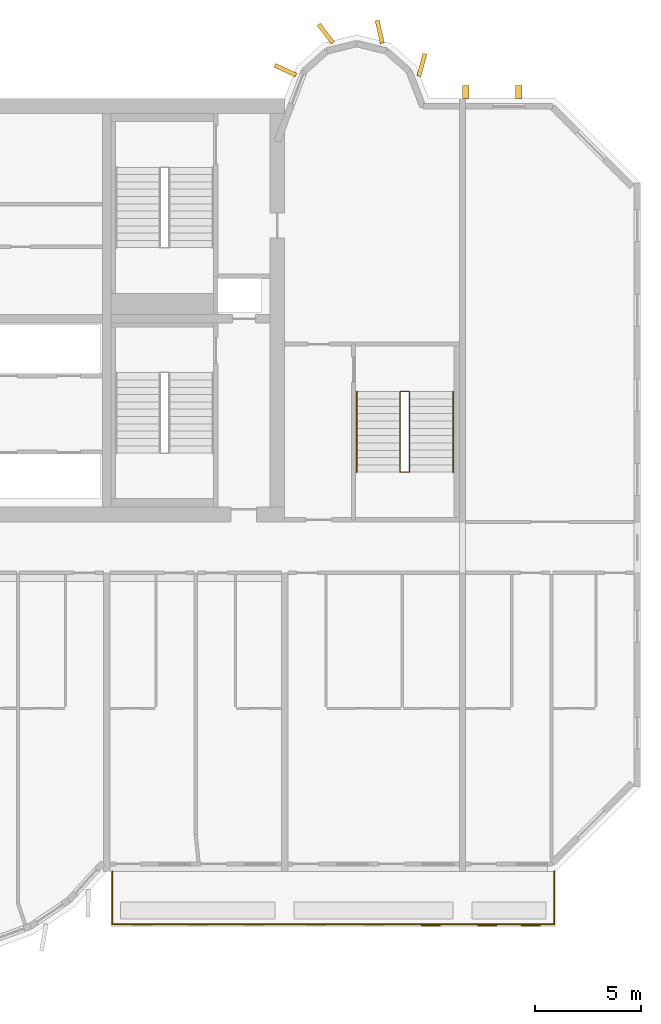
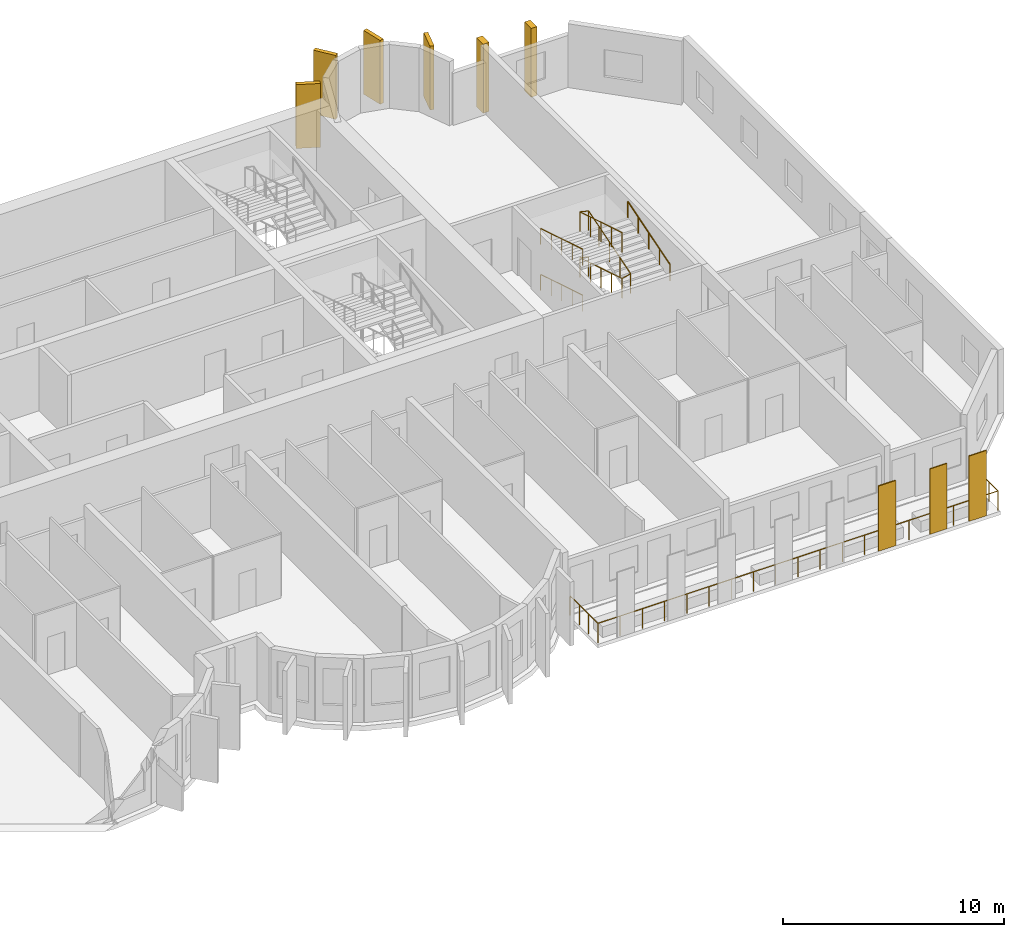
# One storey, part 12 of 13: 9 coverings, 5 railings.
"""IFC4 building model written with IfcOpenShell, lengths in metres."""

from ifc_helpers import new_model, si_unit, direction, frame, origin, origin_2d, place, context, subcontext, project, spatial, rectangle, circle, extrude, source, transform, mapped, material, layer, layer_set, material_profile, profile_set, type_object, element, save


model = new_model("IFC4")

# Units and contexts
model_context = context("Model", 3, precision=1e-05, world=origin(), true_north=direction((0.0, 1.0)))
body_context = subcontext(model_context, "Body", "Model", "MODEL_VIEW")
ifc_project = project(units=[si_unit("LENGTHUNIT", "METRE"), si_unit("AREAUNIT", "SQUARE_METRE"), si_unit("VOLUMEUNIT", "CUBIC_METRE"), si_unit("PLANEANGLEUNIT", "RADIAN"), si_unit("MASSUNIT", "GRAM", prefix="KILO")], contexts=[model_context])

# Site, building, storey
site_placement = place(None, origin())
site = spatial("IfcSite", under=ifc_project, at=site_placement, CompositionType="ELEMENT")
building_placement = place(site_placement, origin())
building = spatial("IfcBuilding", under=site, at=building_placement, Name="Vanashikhar Sky Hotel", CompositionType="ELEMENT")
storey_placement = place(building_placement, frame((0.0, 0.0, 151.60009765625)))
storey = spatial("IfcBuildingStorey", under=building, at=storey_placement, Name="L36", CompositionType="ELEMENT", Elevation=151.60009765625)

# Coverings
ifc_material_1 = material(Name="Terracotta", Category="masonry")
ifc_layer = layer(ifc_material_1, 0.06005859375)
ifc_layer_set = layer_set([ifc_layer], Name="Terracotta baguette screen")
covering_type_1 = type_object("IfcCoveringType", Name="Terracotta baguette screen", PredefinedType="CLADDING", material=ifc_layer_set)
shared_shape_1 = source(origin(), body_context, "Body", "SweptSolid", [
    extrude(rectangle(XDim=0.89990234375, YDim=0.06005859375, at=origin_2d()), origin(), (0.0, 0.0, 1.0), 3.60009765625),
])
for number, where, z_axis, x_axis, name in (
    (1, (82.5, 2.929931640625, -0.050048828125), (0.0, 0.0, 1.0), (1.0, 0.0, 0.0), "Terracotta screen"),
    (2, (85.175048828125, 2.929931640625, -0.050048828125), (0.0, 0.0, 1.0), (1.0, 0.0, 0.0), "Terracotta screen"),
    (3, (87.22509765625, 2.929931640625, -0.050048828125), (0.0, 0.0, 1.0), (1.0, 0.0, 0.0), "Terracotta screen"),
):
    element("IfcCovering", number, at=place(storey_placement, frame(where, z_axis=z_axis, x_axis=x_axis)), inside=storey, type_object=covering_type_1, Name=name, PredefinedType="CLADDING", context=body_context, shape_type="MappedRepresentation", body=[
        mapped(shared_shape_1, transform((0.0, 0.0, 0.0), scale=1.0)),
    ])
ifc_material_2 = material(Name="Concrete M60 dark", Category="concrete")
ifc_material_profile_1 = material_profile(ifc_material_2, rectangle(XDim=1.10009765625, YDim=0.199951171875, at=origin_2d()))
ifc_profile_set_1 = profile_set([ifc_material_profile_1], Name="Rear lobe fin 1100 x 200")
covering_type_2 = type_object("IfcCoveringType", Name="Rear lobe fin 1100 x 200", PredefinedType="CLADDING", material=ifc_profile_set_1)
shared_shape_2 = source(origin(), body_context, "Body", "SweptSolid", [
    extrude(rectangle(XDim=1.10009765625, YDim=0.199951171875, at=origin_2d()), origin(), (0.0, 0.0, 1.0), 3.52001953125),
])
for number, where, z_axis, x_axis, name in (
    (4, (75.63037109375, 43.33447265625, 0.0), (0.0, 0.0, 1.0), (-0.908004291068, 0.418960866193, 0.0), "Fin R2-1"),
    (5, (77.5380859375, 45.06640625, 0.0), (0.0, 0.0, 1.0), (-0.602065892195, 0.798446404874, 0.0), "Fin R2-2"),
    (6, (80.08984375, 45.1455078125, 0.0), (0.0, 0.0, 1.0), (-0.224644935864, 0.974440687159, 0.0), "Fin R2-3"),
    (7, (82.0791015625, 43.580078125, 0.0), (0.0, 0.0, 1.0), (0.262711264409, 0.964874495234, 0.0), "Fin R2-4"),
):
    element("IfcCovering", number, at=place(storey_placement, frame(where, z_axis=z_axis, x_axis=x_axis)), inside=storey, type_object=covering_type_2, Name=name, PredefinedType="CLADDING", context=body_context, shape_type="MappedRepresentation", body=[
        mapped(shared_shape_2, transform((0.0, 0.0, 0.0), scale=1.0)),
    ])

# Railing
ifc_material_3 = material(Name="Stainless steel 316", Category="steel")
railing_type_1 = type_object("IfcRailingType", Name="Balcony guard 1100", PredefinedType="GUARDRAIL", material=ifc_material_3)
shared_shape_3 = source(origin(), body_context, "Body", "SweptSolid", [
    extrude(circle(Radius=0.02392578125, at=origin_2d()), frame((0.0, 0.0, 1.076171875), z_axis=(0.0, -1.0, 0.0), x_axis=(1.0, 0.0, 0.0)), (0.0, 0.0, 1.0), 2.5),
    extrude(circle(Radius=0.02392578125, at=origin_2d()), frame((0.0, -2.5, 1.076171875), z_axis=(1.0, 0.0, 0.0), x_axis=(0.0, 1.0, 0.0)), (0.0, 0.0, 1.0), 20.880126953125),
    extrude(circle(Radius=0.02392578125, at=origin_2d()), frame((20.880126953125, -2.5, 1.076171875), z_axis=(0.0, 1.0, 0.0), x_axis=(-1.0, 0.0, 0.0)), (0.0, 0.0, 1.0), 2.5),
    extrude(circle(Radius=0.02099609375, at=origin_2d()), origin(), (0.0, 0.0, 1.0), 1.052001953125),
    extrude(circle(Radius=0.02099609375, at=origin_2d()), frame((0.0, -0.833251953125, 0.0)), (0.0, 0.0, 1.0), 1.052001953125),
    extrude(circle(Radius=0.02099609375, at=origin_2d()), frame((0.0, -1.666748046875, 0.0)), (0.0, 0.0, 1.0), 1.052001953125),
    extrude(circle(Radius=0.02099609375, at=origin_2d()), frame((0.0, -2.5, 0.0)), (0.0, 0.0, 1.0), 1.052001953125),
    extrude(circle(Radius=0.02099609375, at=origin_2d()), frame((1.159912109375, -2.5, 0.0)), (0.0, 0.0, 1.0), 1.052001953125),
    extrude(circle(Radius=0.02099609375, at=origin_2d()), frame((2.320068359375, -2.5, 0.0)), (0.0, 0.0, 1.0), 1.052001953125),
    extrude(circle(Radius=0.02099609375, at=origin_2d()), frame((3.47998046875, -2.5, 0.0)), (0.0, 0.0, 1.0), 1.052001953125),
    extrude(circle(Radius=0.02099609375, at=origin_2d()), frame((4.64013671875, -2.5, 0.0)), (0.0, 0.0, 1.0), 1.052001953125),
    extrude(circle(Radius=0.02099609375, at=origin_2d()), frame((5.800048828125, -2.5, 0.0)), (0.0, 0.0, 1.0), 1.052001953125),
    extrude(circle(Radius=0.02099609375, at=origin_2d()), frame((6.9599609375, -2.5, 0.0)), (0.0, 0.0, 1.0), 1.052001953125),
    extrude(circle(Radius=0.02099609375, at=origin_2d()), frame((8.1201171875, -2.5, 0.0)), (0.0, 0.0, 1.0), 1.052001953125),
    extrude(circle(Radius=0.02099609375, at=origin_2d()), frame((9.280029296875, -2.5, 0.0)), (0.0, 0.0, 1.0), 1.052001953125),
    extrude(circle(Radius=0.02099609375, at=origin_2d()), frame((10.43994140625, -2.5, 0.0)), (0.0, 0.0, 1.0), 1.052001953125),
    extrude(circle(Radius=0.02099609375, at=origin_2d()), frame((11.60009765625, -2.5, 0.0)), (0.0, 0.0, 1.0), 1.052001953125),
    extrude(circle(Radius=0.02099609375, at=origin_2d()), frame((12.760009765625, -2.5, 0.0)), (0.0, 0.0, 1.0), 1.052001953125),
    extrude(circle(Radius=0.02099609375, at=origin_2d()), frame((13.920166015625, -2.5, 0.0)), (0.0, 0.0, 1.0), 1.052001953125),
    extrude(circle(Radius=0.02099609375, at=origin_2d()), frame((15.080078125, -2.5, 0.0)), (0.0, 0.0, 1.0), 1.052001953125),
    extrude(circle(Radius=0.02099609375, at=origin_2d()), frame((16.239990234375, -2.5, 0.0)), (0.0, 0.0, 1.0), 1.052001953125),
    extrude(circle(Radius=0.02099609375, at=origin_2d()), frame((17.400146484375, -2.5, 0.0)), (0.0, 0.0, 1.0), 1.052001953125),
    extrude(circle(Radius=0.02099609375, at=origin_2d()), frame((18.56005859375, -2.5, 0.0)), (0.0, 0.0, 1.0), 1.052001953125),
    extrude(circle(Radius=0.02099609375, at=origin_2d()), frame((19.72021484375, -2.5, 0.0)), (0.0, 0.0, 1.0), 1.052001953125),
    extrude(circle(Radius=0.02099609375, at=origin_2d()), frame((20.880126953125, -2.5, 0.0)), (0.0, 0.0, 1.0), 1.052001953125),
    extrude(circle(Radius=0.02099609375, at=origin_2d()), frame((20.880126953125, -1.666748046875, 0.0)), (0.0, 0.0, 1.0), 1.052001953125),
    extrude(circle(Radius=0.02099609375, at=origin_2d()), frame((20.880126953125, -0.833251953125, 0.0)), (0.0, 0.0, 1.0), 1.052001953125),
    extrude(circle(Radius=0.02099609375, at=origin_2d()), frame((20.880126953125, 0.0, 0.0)), (0.0, 0.0, 1.0), 1.052001953125),
])
railing_1_placement = place(storey_placement, frame((67.4599609375, 5.5, -0.050048828125)))
element("IfcRailing", 8, at=railing_1_placement, inside=storey, type_object=railing_type_1, Name="Balcony guard", PredefinedType="GUARDRAIL", context=body_context, shape_type="MappedRepresentation", body=[
    mapped(shared_shape_3, transform((0.0, 0.0, 0.0), scale=1.0)),
])

# Coverings
ifc_material_profile_2 = material_profile(ifc_material_2, rectangle(XDim=0.60009765625, YDim=0.300048828125, at=origin_2d()))
ifc_profile_set_2 = profile_set([ifc_material_profile_2], Name="Rear rib 600 x 300")
covering_type_3 = type_object("IfcCoveringType", Name="Rear rib 600 x 300", PredefinedType="CLADDING", material=ifc_profile_set_2)
shared_shape_4 = source(origin(), body_context, "Body", "SweptSolid", [
    extrude(rectangle(XDim=0.60009765625, YDim=0.300048828125, at=origin_2d()), origin(), (0.0, 0.0, 1.0), 3.800048828125),
])
for number, where, z_axis, x_axis, name in (
    (9, (84.14990234375, 42.300048828125, -0.280029296875), (0.0, 0.0, 1.0), (0.0, 1.0, 0.0), "Rear rib"),
    (10, (86.64990234375, 42.300048828125, -0.280029296875), (0.0, 0.0, 1.0), (0.0, 1.0, 0.0), "Rear rib"),
):
    element("IfcCovering", number, at=place(storey_placement, frame(where, z_axis=z_axis, x_axis=x_axis)), inside=storey, type_object=covering_type_3, Name=name, PredefinedType="CLADDING", context=body_context, shape_type="MappedRepresentation", body=[
        mapped(shared_shape_4, transform((0.0, 0.0, 0.0), scale=1.0)),
    ])

# Railings
ifc_material_4 = material(Name="Steel S355", Category="steel")
railing_type_2 = type_object("IfcRailingType", Name="Stair handrail 900", PredefinedType="HANDRAIL", material=ifc_material_4)
shared_shape_5 = source(origin(), body_context, "Body", "SweptSolid", [
    extrude(circle(Radius=0.02392578125, at=origin_2d()), frame((0.0, 0.0, 0.8759765625), z_axis=(0.0, 0.956345846891, 0.292237268557), x_axis=(-1.0, 0.0, 0.0)), (0.0, 0.0, 1.0), 3.97314453125),
    extrude(circle(Radius=0.02099609375, at=origin_2d()), origin(), (0.0, 0.0, 1.0), 0.851806640625),
    extrude(circle(Radius=0.02099609375, at=origin_2d()), frame((0.0, 0.949951171875, 0.290283203125)), (0.0, 0.0, 1.0), 0.851806640625),
    extrude(circle(Radius=0.02099609375, at=origin_2d()), frame((0.0, 1.89990234375, 0.58056640625)), (0.0, 0.0, 1.0), 0.851806640625),
    extrude(circle(Radius=0.02099609375, at=origin_2d()), frame((0.0, 2.849853515625, 0.870849609375)), (0.0, 0.0, 1.0), 0.851806640625),
    extrude(circle(Radius=0.02099609375, at=origin_2d()), frame((0.0, 3.7998046875, 1.1611328125)), (0.0, 0.0, 1.0), 0.851806640625),
])
railing_2_placement = place(storey_placement, frame((83.550048828125, 24.35009765625, 1.3720703125)))
element("IfcRailing", 11, at=railing_2_placement, inside=storey, type_object=railing_type_2, Name="Exit stair 4 handrail", PredefinedType="HANDRAIL", context=body_context, shape_type="MappedRepresentation", body=[
    mapped(shared_shape_5, transform((0.0, 0.0, 0.0), scale=1.0)),
])
shared_shape_6 = source(origin(), body_context, "Body", "SweptSolid", [
    extrude(circle(Radius=0.02392578125, at=origin_2d()), frame((0.0, 0.0, 0.8759765625), z_axis=(0.0, -0.956345846891, 0.292237268557), x_axis=(1.0, 0.0, 0.0)), (0.0, 0.0, 1.0), 3.97314453125),
    extrude(circle(Radius=0.02099609375, at=origin_2d()), origin(), (0.0, 0.0, 1.0), 0.851806640625),
    extrude(circle(Radius=0.02099609375, at=origin_2d()), frame((0.0, -0.949951171875, 0.290283203125)), (0.0, 0.0, 1.0), 0.851806640625),
    extrude(circle(Radius=0.02099609375, at=origin_2d()), frame((0.0, -1.89990234375, 0.58056640625)), (0.0, 0.0, 1.0), 0.851806640625),
    extrude(circle(Radius=0.02099609375, at=origin_2d()), frame((0.0, -2.849853515625, 0.870849609375)), (0.0, 0.0, 1.0), 0.851806640625),
    extrude(circle(Radius=0.02099609375, at=origin_2d()), frame((0.0, -3.7998046875, 1.1611328125)), (0.0, 0.0, 1.0), 0.851806640625),
])
for number, where, name in (
    (12, (79.0, 28.14990234375, 0.10546875), "Exit stair 4 handrail"),
    (13, (79.0, 28.14990234375, 2.638671875), "Exit stair 4 handrail"),
):
    element("IfcRailing", number, at=place(storey_placement, frame(where)), inside=storey, type_object=railing_type_2, Name=name, PredefinedType="HANDRAIL", context=body_context, shape_type="MappedRepresentation", body=[
        mapped(shared_shape_6, transform((0.0, 0.0, 0.0), scale=1.0)),
    ])
railing_type_3 = type_object("IfcRailingType", Name="Stair guard 1100", PredefinedType="GUARDRAIL", material=ifc_material_4)
shared_shape_7 = source(origin(), body_context, "Body", "SweptSolid", [
    extrude(circle(Radius=0.02392578125, at=origin_2d()), frame((0.0, 0.0, 1.076171875), z_axis=(-0.973610808694, 0.0, 0.228214796178), x_axis=(0.0, -1.0, 0.0)), (0.0, 0.0, 1.0), 0.462158203125),
    extrude(circle(Radius=0.02392578125, at=origin_2d()), frame((-0.449951171875, 0.0, 1.181640625), z_axis=(0.0, -0.956345846891, 0.292237268557), x_axis=(1.0, 0.0, 0.0)), (0.0, 0.0, 1.0), 3.97314453125),
    extrude(circle(Radius=0.02392578125, at=origin_2d()), frame((-0.449951171875, -3.7998046875, 2.3427734375), z_axis=(0.973610808694, 0.0, 0.228214796178), x_axis=(0.0, 1.0, 0.0)), (0.0, 0.0, 1.0), 0.462158203125),
    extrude(circle(Radius=0.02392578125, at=origin_2d()), frame((0.0, -3.7998046875, 2.4482421875), z_axis=(0.0, 0.956345846891, 0.292237268557), x_axis=(-1.0, 0.0, 0.0)), (0.0, 0.0, 1.0), 3.97314453125),
    extrude(circle(Radius=0.02392578125, at=origin_2d()), frame((0.0, 0.0, 3.609375), z_axis=(-0.973610808694, 0.0, 0.228214796178), x_axis=(0.0, -1.0, 0.0)), (0.0, 0.0, 1.0), 0.462158203125),
    extrude(circle(Radius=0.02392578125, at=origin_2d()), frame((-0.449951171875, 0.0, 3.71484375), z_axis=(0.0, -0.956345846891, 0.292237268557), x_axis=(1.0, 0.0, 0.0)), (0.0, 0.0, 1.0), 3.97314453125),
    extrude(circle(Radius=0.02099609375, at=origin_2d()), origin(), (0.0, 0.0, 1.0), 1.052001953125),
    extrude(circle(Radius=0.02099609375, at=origin_2d()), frame((-0.449951171875, 0.0, 0.10546875)), (0.0, 0.0, 1.0), 1.052001953125),
    extrude(circle(Radius=0.02099609375, at=origin_2d()), frame((-0.449951171875, -0.949951171875, 0.395751953125)), (0.0, 0.0, 1.0), 1.052001953125),
    extrude(circle(Radius=0.02099609375, at=origin_2d()), frame((-0.449951171875, -1.89990234375, 0.68603515625)), (0.0, 0.0, 1.0), 1.052001953125),
    extrude(circle(Radius=0.02099609375, at=origin_2d()), frame((-0.449951171875, -2.849853515625, 0.976318359375)), (0.0, 0.0, 1.0), 1.052001953125),
    extrude(circle(Radius=0.02099609375, at=origin_2d()), frame((-0.449951171875, -3.7998046875, 1.2666015625)), (0.0, 0.0, 1.0), 1.052001953125),
    extrude(circle(Radius=0.02099609375, at=origin_2d()), frame((0.0, -3.7998046875, 1.3720703125)), (0.0, 0.0, 1.0), 1.052001953125),
    extrude(circle(Radius=0.02099609375, at=origin_2d()), frame((0.0, -2.849853515625, 1.662353515625)), (0.0, 0.0, 1.0), 1.052001953125),
    extrude(circle(Radius=0.02099609375, at=origin_2d()), frame((0.0, -1.89990234375, 1.95263671875)), (0.0, 0.0, 1.0), 1.052001953125),
    extrude(circle(Radius=0.02099609375, at=origin_2d()), frame((0.0, -0.949951171875, 2.242919921875)), (0.0, 0.0, 1.0), 1.052001953125),
    extrude(circle(Radius=0.02099609375, at=origin_2d()), frame((0.0, 0.0, 2.533203125)), (0.0, 0.0, 1.0), 1.052001953125),
    extrude(circle(Radius=0.02099609375, at=origin_2d()), frame((-0.449951171875, 0.0, 2.638671875)), (0.0, 0.0, 1.0), 1.052001953125),
    extrude(circle(Radius=0.02099609375, at=origin_2d()), frame((-0.449951171875, -0.949951171875, 2.928955078125)), (0.0, 0.0, 1.0), 1.052001953125),
    extrude(circle(Radius=0.02099609375, at=origin_2d()), frame((-0.449951171875, -1.89990234375, 3.21923828125)), (0.0, 0.0, 1.0), 1.052001953125),
    extrude(circle(Radius=0.02099609375, at=origin_2d()), frame((-0.449951171875, -2.849853515625, 3.509521484375)), (0.0, 0.0, 1.0), 1.052001953125),
    extrude(circle(Radius=0.02099609375, at=origin_2d()), frame((-0.449951171875, -3.7998046875, 3.7998046875)), (0.0, 0.0, 1.0), 1.052001953125),
])
railing_3_placement = place(storey_placement, frame((81.5, 28.14990234375, 0.0)))
element("IfcRailing", 14, at=railing_3_placement, inside=storey, type_object=railing_type_3, Name="Exit stair 4 guard", PredefinedType="GUARDRAIL", context=body_context, shape_type="MappedRepresentation", body=[
    mapped(shared_shape_7, transform((0.0, 0.0, 0.0), scale=1.0)),
])

save(model, "model.ifc")
